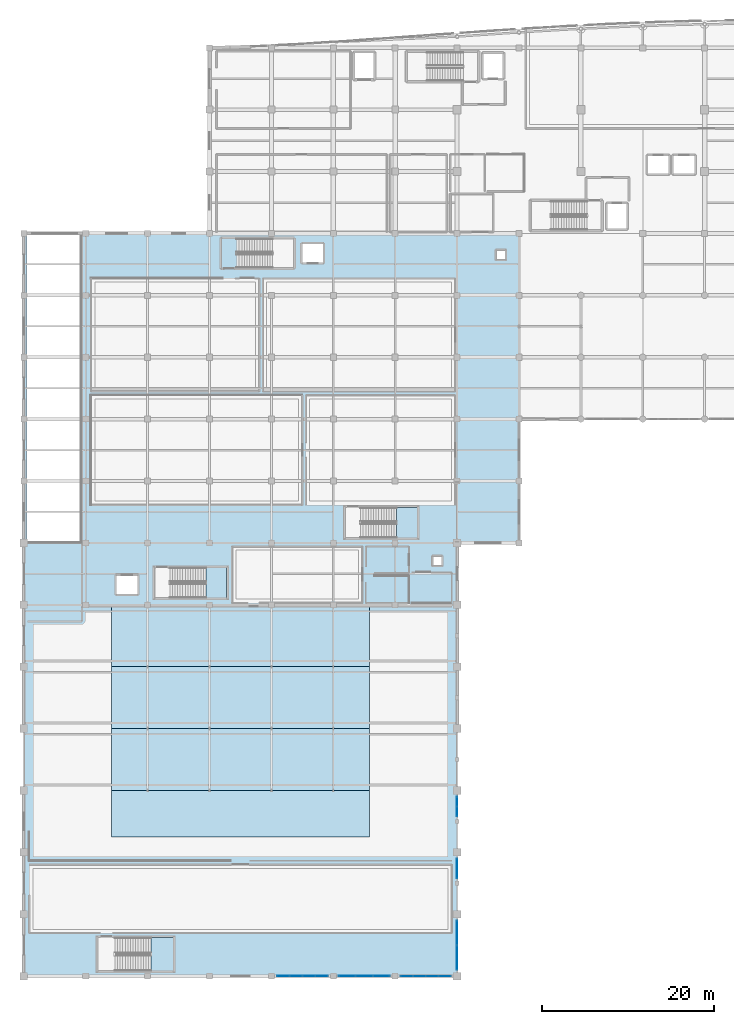
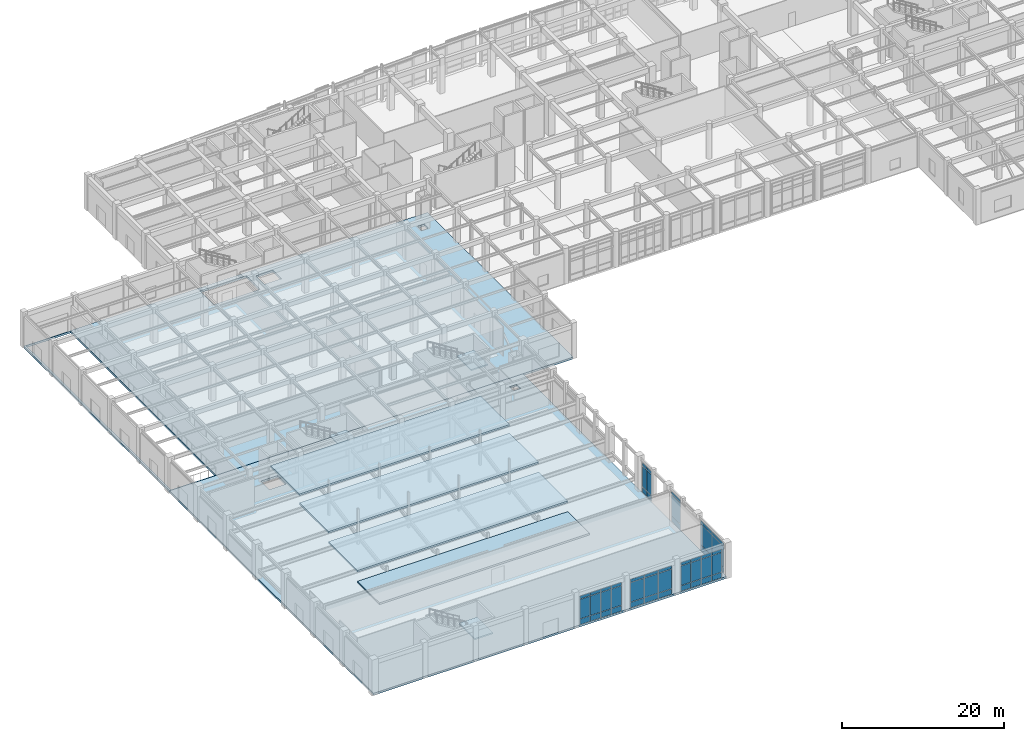
# One storey, part 62 of 102: 48 plates, 9 slabs, 9 elements without a shape of their own.
"""IFC4 building model written with IfcOpenShell, lengths in metres."""

from ifc_helpers import new_model, si_unit, direction, frame, origin, origin_2d, place, context, subcontext, project, spatial, polyline, rectangle, outline, extrude, material, layer, layer_set, type_object, element, aggregate, save


model = new_model("IFC4")

# Units and contexts
model_context = context("Model", 3, precision=1e-05, world=origin(), true_north=direction((0.0, 1.0)))
body_context = subcontext(model_context, "Body", "Model", "MODEL_VIEW")
ifc_project = project(units=[si_unit("LENGTHUNIT", "METRE"), si_unit("AREAUNIT", "SQUARE_METRE"), si_unit("VOLUMEUNIT", "CUBIC_METRE"), si_unit("PLANEANGLEUNIT", "RADIAN"), si_unit("MASSUNIT", "GRAM", prefix="KILO")], contexts=[model_context])

# Site, building, storey
site_placement = place(None, origin())
site = spatial("IfcSite", under=ifc_project, at=site_placement, CompositionType="ELEMENT")
building_placement = place(site_placement, origin())
building = spatial("IfcBuilding", under=site, at=building_placement, Name="Carrowvane Square Congress Hotel", CompositionType="ELEMENT")
storey_placement = place(building_placement, origin())
storey = spatial("IfcBuildingStorey", under=building, at=storey_placement, Name="L00", CompositionType="ELEMENT", Elevation=0.0)

# Curtain wall, plates
ifc_material_1 = material(Name="Anodised aluminium", Category="aluminium")
ifc_layer_1 = layer(ifc_material_1, 0.2099609375)
ifc_layer_set_1 = layer_set([ifc_layer_1], Name="Anodised aluminium")
curtain_wall_type_1 = type_object("IfcCurtainWallType", Name="CW-SYS-5", PredefinedType="NOTDEFINED", material=ifc_layer_set_1)
curtain_wall_1_placement = place(storey_placement, origin())
curtain_wall_1 = element("IfcCurtainWall", 1, at=curtain_wall_1_placement, inside=storey, type_object=curtain_wall_type_1, Name="L00 unitised curtain wall 60", PredefinedType="NOTDEFINED")
ifc_material_2 = material(Name="Double-glazed low-E glass", Category="glass")
ifc_layer_2 = layer(ifc_material_2, 0.028076171875)
ifc_layer_set_2 = layer_set([ifc_layer_2], Name="Double-glazed low-E glass")
plate_type_1 = type_object("IfcPlateType", Name="CW-PAN-1", PredefinedType="CURTAIN_PANEL", material=ifc_layer_set_2)
plate_1_placement = place(storey_placement, frame((60.554931640625, 5.39990234375, 0.06005859375), z_axis=(0.0, 0.0, 1.0), x_axis=(-1.0, 0.0, 0.0)))
plate_1 = element("IfcPlate", 2, at=plate_1_placement, type_object=plate_type_1, Name="CW-5 panel 1.1", PredefinedType="CURTAIN_PANEL", context=body_context, shape_type="SweptSolid", body=[
    extrude(rectangle(XDim=1.389892578125, YDim=0.028076171875, at=origin_2d()), origin(), (0.0, 0.0, 1.0), 0.81005859375),
])
plate_2_placement = place(storey_placement, frame((60.554931640625, 5.39990234375, 0.93017578125), z_axis=(0.0, 0.0, 1.0), x_axis=(-1.0, 0.0, 0.0)))
plate_2 = element("IfcPlate", 3, at=plate_2_placement, type_object=plate_type_1, Name="CW-5 panel 1.2", PredefinedType="CURTAIN_PANEL", context=body_context, shape_type="SweptSolid", body=[
    extrude(rectangle(XDim=1.389892578125, YDim=0.028076171875, at=origin_2d()), origin(), (0.0, 0.0, 1.0), 2.925048828125),
])
plate_3_placement = place(storey_placement, frame((60.554931640625, 5.39990234375, 3.9150390625), z_axis=(0.0, 0.0, 1.0), x_axis=(-1.0, 0.0, 0.0)))
plate_3 = element("IfcPlate", 4, at=plate_3_placement, type_object=plate_type_1, Name="CW-5 panel 1.3", PredefinedType="CURTAIN_PANEL", context=body_context, shape_type="SweptSolid", body=[
    extrude(rectangle(XDim=1.389892578125, YDim=0.028076171875, at=origin_2d()), origin(), (0.0, 0.0, 1.0), 0.4599609375),
])
plate_4_placement = place(storey_placement, frame((59.090087890625, 5.39990234375, 0.06005859375), z_axis=(0.0, 0.0, 1.0), x_axis=(-1.0, 0.0, 0.0)))
plate_4 = element("IfcPlate", 5, at=plate_4_placement, type_object=plate_type_1, Name="CW-5 panel 2.1", PredefinedType="CURTAIN_PANEL", context=body_context, shape_type="SweptSolid", body=[
    extrude(rectangle(XDim=1.419921875, YDim=0.028076171875, at=origin_2d()), origin(), (0.0, 0.0, 1.0), 0.81005859375),
])
plate_5_placement = place(storey_placement, frame((59.090087890625, 5.39990234375, 0.93017578125), z_axis=(0.0, 0.0, 1.0), x_axis=(-1.0, 0.0, 0.0)))
plate_5 = element("IfcPlate", 6, at=plate_5_placement, type_object=plate_type_1, Name="CW-5 panel 2.2", PredefinedType="CURTAIN_PANEL", context=body_context, shape_type="SweptSolid", body=[
    extrude(rectangle(XDim=1.419921875, YDim=0.028076171875, at=origin_2d()), origin(), (0.0, 0.0, 1.0), 2.925048828125),
])
plate_6_placement = place(storey_placement, frame((59.090087890625, 5.39990234375, 3.9150390625), z_axis=(0.0, 0.0, 1.0), x_axis=(-1.0, 0.0, 0.0)))
plate_6 = element("IfcPlate", 7, at=plate_6_placement, type_object=plate_type_1, Name="CW-5 panel 2.3", PredefinedType="CURTAIN_PANEL", context=body_context, shape_type="SweptSolid", body=[
    extrude(rectangle(XDim=1.419921875, YDim=0.028076171875, at=origin_2d()), origin(), (0.0, 0.0, 1.0), 0.4599609375),
])
plate_7_placement = place(storey_placement, frame((57.610107421875, 5.39990234375, 0.06005859375), z_axis=(0.0, 0.0, 1.0), x_axis=(-1.0, 0.0, 0.0)))
plate_7 = element("IfcPlate", 8, at=plate_7_placement, type_object=plate_type_1, Name="CW-5 panel 3.1", PredefinedType="CURTAIN_PANEL", context=body_context, shape_type="SweptSolid", body=[
    extrude(rectangle(XDim=1.419921875, YDim=0.028076171875, at=origin_2d()), origin(), (0.0, 0.0, 1.0), 0.81005859375),
])
plate_8_placement = place(storey_placement, frame((57.610107421875, 5.39990234375, 0.93017578125), z_axis=(0.0, 0.0, 1.0), x_axis=(-1.0, 0.0, 0.0)))
plate_8 = element("IfcPlate", 9, at=plate_8_placement, type_object=plate_type_1, Name="CW-5 panel 3.2", PredefinedType="CURTAIN_PANEL", context=body_context, shape_type="SweptSolid", body=[
    extrude(rectangle(XDim=1.419921875, YDim=0.028076171875, at=origin_2d()), origin(), (0.0, 0.0, 1.0), 2.925048828125),
])
plate_9_placement = place(storey_placement, frame((57.610107421875, 5.39990234375, 3.9150390625), z_axis=(0.0, 0.0, 1.0), x_axis=(-1.0, 0.0, 0.0)))
plate_9 = element("IfcPlate", 10, at=plate_9_placement, type_object=plate_type_1, Name="CW-5 panel 3.3", PredefinedType="CURTAIN_PANEL", context=body_context, shape_type="SweptSolid", body=[
    extrude(rectangle(XDim=1.419921875, YDim=0.028076171875, at=origin_2d()), origin(), (0.0, 0.0, 1.0), 0.4599609375),
])
plate_10_placement = place(storey_placement, frame((56.14501953125, 5.39990234375, 0.06005859375), z_axis=(0.0, 0.0, 1.0), x_axis=(-1.0, 0.0, 0.0)))
plate_10 = element("IfcPlate", 11, at=plate_10_placement, type_object=plate_type_1, Name="CW-5 panel 4.1", PredefinedType="CURTAIN_PANEL", context=body_context, shape_type="SweptSolid", body=[
    extrude(rectangle(XDim=1.389892578125, YDim=0.028076171875, at=origin_2d()), origin(), (0.0, 0.0, 1.0), 0.81005859375),
])
plate_11_placement = place(storey_placement, frame((56.14501953125, 5.39990234375, 0.93017578125), z_axis=(0.0, 0.0, 1.0), x_axis=(-1.0, 0.0, 0.0)))
plate_11 = element("IfcPlate", 12, at=plate_11_placement, type_object=plate_type_1, Name="CW-5 panel 4.2", PredefinedType="CURTAIN_PANEL", context=body_context, shape_type="SweptSolid", body=[
    extrude(rectangle(XDim=1.389892578125, YDim=0.028076171875, at=origin_2d()), origin(), (0.0, 0.0, 1.0), 2.925048828125),
])
plate_12_placement = place(storey_placement, frame((56.14501953125, 5.39990234375, 3.9150390625), z_axis=(0.0, 0.0, 1.0), x_axis=(-1.0, 0.0, 0.0)))
plate_12 = element("IfcPlate", 13, at=plate_12_placement, type_object=plate_type_1, Name="CW-5 panel 4.3", PredefinedType="CURTAIN_PANEL", context=body_context, shape_type="SweptSolid", body=[
    extrude(rectangle(XDim=1.389892578125, YDim=0.028076171875, at=origin_2d()), origin(), (0.0, 0.0, 1.0), 0.4599609375),
])
aggregate(curtain_wall_1, [plate_1, plate_2, plate_3, plate_4, plate_5, plate_6, plate_7, plate_8, plate_9, plate_10, plate_11, plate_12])

ifc_material_3 = material(Name="Anodised aluminium", Category="aluminium")
ifc_layer_3 = layer(ifc_material_3, 0.221923828125)
ifc_layer_set_3 = layer_set([ifc_layer_3], Name="Anodised aluminium")
curtain_wall_type_2 = type_object("IfcCurtainWallType", Name="CW-SYS-6", PredefinedType="NOTDEFINED", material=ifc_layer_set_3)
curtain_wall_2_placement = place(storey_placement, origin())
curtain_wall_2 = element("IfcCurtainWall", 14, at=curtain_wall_2_placement, inside=storey, type_object=curtain_wall_type_2, Name="L00 unitised curtain wall 61", PredefinedType="NOTDEFINED")
ifc_material_4 = material(Name="Double-glazed low-E glass", Category="glass")
ifc_layer_4 = layer(ifc_material_4, 0.031982421875)
ifc_layer_set_4 = layer_set([ifc_layer_4], Name="Double-glazed low-E glass")
plate_type_2 = type_object("IfcPlateType", Name="CW-PAN-2", PredefinedType="CURTAIN_PANEL", material=ifc_layer_set_4)
plate_13_placement = place(storey_placement, frame((53.189208984375, 5.39990234375, 0.070068359375), z_axis=(0.0, 0.0, 1.0), x_axis=(-1.0, 0.0, 0.0)))
plate_13 = element("IfcPlate", 15, at=plate_13_placement, type_object=plate_type_2, Name="CW-6 panel 1.1", PredefinedType="CURTAIN_PANEL", context=body_context, shape_type="SweptSolid", body=[
    extrude(rectangle(XDim=1.901611328125, YDim=0.031982421875, at=origin_2d()), origin(), (0.0, 0.0, 1.0), 0.794921875),
])
plate_14_placement = place(storey_placement, frame((53.189208984375, 5.39990234375, 0.93505859375), z_axis=(0.0, 0.0, 1.0), x_axis=(-1.0, 0.0, 0.0)))
plate_14 = element("IfcPlate", 16, at=plate_14_placement, type_object=plate_type_2, Name="CW-6 panel 1.2", PredefinedType="CURTAIN_PANEL", context=body_context, shape_type="SweptSolid", body=[
    extrude(rectangle(XDim=1.901611328125, YDim=0.031982421875, at=origin_2d()), origin(), (0.0, 0.0, 1.0), 2.9150390625),
])
plate_15_placement = place(storey_placement, frame((53.189208984375, 5.39990234375, 3.919921875), z_axis=(0.0, 0.0, 1.0), x_axis=(-1.0, 0.0, 0.0)))
plate_15 = element("IfcPlate", 17, at=plate_15_placement, type_object=plate_type_2, Name="CW-6 panel 1.3", PredefinedType="CURTAIN_PANEL", context=body_context, shape_type="SweptSolid", body=[
    extrude(rectangle(XDim=1.901611328125, YDim=0.031982421875, at=origin_2d()), origin(), (0.0, 0.0, 1.0), 0.445068359375),
])
plate_16_placement = place(storey_placement, frame((51.199951171875, 5.39990234375, 0.070068359375), z_axis=(0.0, 0.0, 1.0), x_axis=(-1.0, 0.0, 0.0)))
plate_16 = element("IfcPlate", 18, at=plate_16_placement, type_object=plate_type_2, Name="CW-6 panel 2.1", PredefinedType="CURTAIN_PANEL", context=body_context, shape_type="SweptSolid", body=[
    extrude(rectangle(XDim=1.936767578125, YDim=0.031982421875, at=origin_2d()), origin(), (0.0, 0.0, 1.0), 0.794921875),
])
plate_17_placement = place(storey_placement, frame((51.199951171875, 5.39990234375, 0.93505859375), z_axis=(0.0, 0.0, 1.0), x_axis=(-1.0, 0.0, 0.0)))
plate_17 = element("IfcPlate", 19, at=plate_17_placement, type_object=plate_type_2, Name="CW-6 panel 2.2", PredefinedType="CURTAIN_PANEL", context=body_context, shape_type="SweptSolid", body=[
    extrude(rectangle(XDim=1.936767578125, YDim=0.031982421875, at=origin_2d()), origin(), (0.0, 0.0, 1.0), 2.9150390625),
])
plate_18_placement = place(storey_placement, frame((51.199951171875, 5.39990234375, 3.919921875), z_axis=(0.0, 0.0, 1.0), x_axis=(-1.0, 0.0, 0.0)))
plate_18 = element("IfcPlate", 20, at=plate_18_placement, type_object=plate_type_2, Name="CW-6 panel 2.3", PredefinedType="CURTAIN_PANEL", context=body_context, shape_type="SweptSolid", body=[
    extrude(rectangle(XDim=1.936767578125, YDim=0.031982421875, at=origin_2d()), origin(), (0.0, 0.0, 1.0), 0.445068359375),
])
plate_19_placement = place(storey_placement, frame((49.2109375, 5.39990234375, 0.070068359375), z_axis=(0.0, 0.0, 1.0), x_axis=(-1.0, 0.0, 0.0)))
plate_19 = element("IfcPlate", 21, at=plate_19_placement, type_object=plate_type_2, Name="CW-6 panel 3.1", PredefinedType="CURTAIN_PANEL", context=body_context, shape_type="SweptSolid", body=[
    extrude(rectangle(XDim=1.901611328125, YDim=0.031982421875, at=origin_2d()), origin(), (0.0, 0.0, 1.0), 0.794921875),
])
plate_20_placement = place(storey_placement, frame((49.2109375, 5.39990234375, 0.93505859375), z_axis=(0.0, 0.0, 1.0), x_axis=(-1.0, 0.0, 0.0)))
plate_20 = element("IfcPlate", 22, at=plate_20_placement, type_object=plate_type_2, Name="CW-6 panel 3.2", PredefinedType="CURTAIN_PANEL", context=body_context, shape_type="SweptSolid", body=[
    extrude(rectangle(XDim=1.901611328125, YDim=0.031982421875, at=origin_2d()), origin(), (0.0, 0.0, 1.0), 2.9150390625),
])
plate_21_placement = place(storey_placement, frame((49.2109375, 5.39990234375, 3.919921875), z_axis=(0.0, 0.0, 1.0), x_axis=(-1.0, 0.0, 0.0)))
plate_21 = element("IfcPlate", 23, at=plate_21_placement, type_object=plate_type_2, Name="CW-6 panel 3.3", PredefinedType="CURTAIN_PANEL", context=body_context, shape_type="SweptSolid", body=[
    extrude(rectangle(XDim=1.901611328125, YDim=0.031982421875, at=origin_2d()), origin(), (0.0, 0.0, 1.0), 0.445068359375),
])
aggregate(curtain_wall_2, [plate_13, plate_14, plate_15, plate_16, plate_17, plate_18, plate_19, plate_20, plate_21])

ifc_material_5 = material(Name="Anodised aluminium", Category="aluminium")
ifc_layer_5 = layer(ifc_material_5, 0.174072265625)
ifc_layer_set_5 = layer_set([ifc_layer_5], Name="Anodised aluminium")
curtain_wall_type_3 = type_object("IfcCurtainWallType", Name="CW-SYS-2", PredefinedType="NOTDEFINED", material=ifc_layer_set_5)
curtain_wall_3_placement = place(storey_placement, origin())
curtain_wall_3 = element("IfcCurtainWall", 24, at=curtain_wall_3_placement, inside=storey, type_object=curtain_wall_type_3, Name="L00 unitised curtain wall 57", PredefinedType="NOTDEFINED")
ifc_material_6 = material(Name="Double-glazed low-E glass", Category="glass")
ifc_layer_6 = layer(ifc_material_6, 0.035888671875)
ifc_layer_set_6 = layer_set([ifc_layer_6], Name="Double-glazed low-E glass")
plate_type_3 = type_object("IfcPlateType", Name="CW-PAN-3", PredefinedType="CURTAIN_PANEL", material=ifc_layer_set_6)
plate_22_placement = place(storey_placement, frame((62.0, 25.699951171875, 0.070068359375), z_axis=(0.0, 0.0, 1.0), x_axis=(0.0, -1.0, 0.0)))
plate_22 = element("IfcPlate", 25, at=plate_22_placement, type_object=plate_type_3, Name="CW-2 panel 1.1", PredefinedType="CURTAIN_PANEL", context=body_context, shape_type="SweptSolid", body=[
    extrude(rectangle(XDim=1.080078125, YDim=0.035888671875, at=origin_2d()), origin(), (0.0, 0.0, 1.0), 0.794921875),
])
plate_23_placement = place(storey_placement, frame((62.0, 25.699951171875, 0.93505859375), z_axis=(0.0, 0.0, 1.0), x_axis=(0.0, -1.0, 0.0)))
plate_23 = element("IfcPlate", 26, at=plate_23_placement, type_object=plate_type_3, Name="CW-2 panel 1.2", PredefinedType="CURTAIN_PANEL", context=body_context, shape_type="SweptSolid", body=[
    extrude(rectangle(XDim=1.080078125, YDim=0.035888671875, at=origin_2d()), origin(), (0.0, 0.0, 1.0), 3.10498046875),
])
plate_24_placement = place(storey_placement, frame((62.0, 25.699951171875, 4.10986328125), z_axis=(0.0, 0.0, 1.0), x_axis=(0.0, -1.0, 0.0)))
plate_24 = element("IfcPlate", 27, at=plate_24_placement, type_object=plate_type_3, Name="CW-2 panel 1.3", PredefinedType="CURTAIN_PANEL", context=body_context, shape_type="SweptSolid", body=[
    extrude(rectangle(XDim=1.080078125, YDim=0.035888671875, at=origin_2d()), origin(), (0.0, 0.0, 1.0), 0.445068359375),
])
plate_25_placement = place(storey_placement, frame((62.0, 24.550048828125, 0.070068359375), z_axis=(0.0, 0.0, 1.0), x_axis=(0.0, -1.0, 0.0)))
plate_25 = element("IfcPlate", 28, at=plate_25_placement, type_object=plate_type_3, Name="CW-2 panel 2.1", PredefinedType="CURTAIN_PANEL", context=body_context, shape_type="SweptSolid", body=[
    extrude(rectangle(XDim=1.080078125, YDim=0.035888671875, at=origin_2d()), origin(), (0.0, 0.0, 1.0), 0.794921875),
])
plate_26_placement = place(storey_placement, frame((62.0, 24.550048828125, 0.93505859375), z_axis=(0.0, 0.0, 1.0), x_axis=(0.0, -1.0, 0.0)))
plate_26 = element("IfcPlate", 29, at=plate_26_placement, type_object=plate_type_3, Name="CW-2 panel 2.2", PredefinedType="CURTAIN_PANEL", context=body_context, shape_type="SweptSolid", body=[
    extrude(rectangle(XDim=1.080078125, YDim=0.035888671875, at=origin_2d()), origin(), (0.0, 0.0, 1.0), 3.10498046875),
])
plate_27_placement = place(storey_placement, frame((62.0, 24.550048828125, 4.10986328125), z_axis=(0.0, 0.0, 1.0), x_axis=(0.0, -1.0, 0.0)))
plate_27 = element("IfcPlate", 30, at=plate_27_placement, type_object=plate_type_3, Name="CW-2 panel 2.3", PredefinedType="CURTAIN_PANEL", context=body_context, shape_type="SweptSolid", body=[
    extrude(rectangle(XDim=1.080078125, YDim=0.035888671875, at=origin_2d()), origin(), (0.0, 0.0, 1.0), 0.445068359375),
])
aggregate(curtain_wall_3, [plate_22, plate_23, plate_24, plate_25, plate_26, plate_27])

ifc_material_7 = material(Name="Anodised aluminium", Category="aluminium")
ifc_layer_7 = layer(ifc_material_7, 0.23388671875)
ifc_layer_set_7 = layer_set([ifc_layer_7], Name="Anodised aluminium")
curtain_wall_type_4 = type_object("IfcCurtainWallType", Name="CW-SYS-7", PredefinedType="NOTDEFINED", material=ifc_layer_set_7)
curtain_wall_4_placement = place(storey_placement, origin())
curtain_wall_4 = element("IfcCurtainWall", 31, at=curtain_wall_4_placement, inside=storey, type_object=curtain_wall_type_4, Name="L00 unitised curtain wall 62", PredefinedType="NOTDEFINED")
plate_28_placement = place(storey_placement, frame((46.242431640625, 5.39990234375, 0.06005859375), z_axis=(0.0, 0.0, 1.0), x_axis=(-1.0, 0.0, 0.0)))
plate_28 = element("IfcPlate", 32, at=plate_28_placement, type_object=plate_type_3, Name="CW-7 panel 1.1", PredefinedType="CURTAIN_PANEL", context=body_context, shape_type="SweptSolid", body=[
    extrude(rectangle(XDim=1.4150390625, YDim=0.035888671875, at=origin_2d()), origin(), (0.0, 0.0, 1.0), 0.81005859375),
])
plate_29_placement = place(storey_placement, frame((46.242431640625, 5.39990234375, 0.93017578125), z_axis=(0.0, 0.0, 1.0), x_axis=(-1.0, 0.0, 0.0)))
plate_29 = element("IfcPlate", 33, at=plate_29_placement, type_object=plate_type_3, Name="CW-7 panel 1.2", PredefinedType="CURTAIN_PANEL", context=body_context, shape_type="SweptSolid", body=[
    extrude(rectangle(XDim=1.4150390625, YDim=0.035888671875, at=origin_2d()), origin(), (0.0, 0.0, 1.0), 2.925048828125),
])
plate_30_placement = place(storey_placement, frame((46.242431640625, 5.39990234375, 3.9150390625), z_axis=(0.0, 0.0, 1.0), x_axis=(-1.0, 0.0, 0.0)))
plate_30 = element("IfcPlate", 34, at=plate_30_placement, type_object=plate_type_3, Name="CW-7 panel 1.3", PredefinedType="CURTAIN_PANEL", context=body_context, shape_type="SweptSolid", body=[
    extrude(rectangle(XDim=1.4150390625, YDim=0.035888671875, at=origin_2d()), origin(), (0.0, 0.0, 1.0), 0.4599609375),
])
plate_31_placement = place(storey_placement, frame((44.75244140625, 5.39990234375, 0.06005859375), z_axis=(0.0, 0.0, 1.0), x_axis=(-1.0, 0.0, 0.0)))
plate_31 = element("IfcPlate", 35, at=plate_31_placement, type_object=plate_type_3, Name="CW-7 panel 2.1", PredefinedType="CURTAIN_PANEL", context=body_context, shape_type="SweptSolid", body=[
    extrude(rectangle(XDim=1.445068359375, YDim=0.035888671875, at=origin_2d()), origin(), (0.0, 0.0, 1.0), 0.81005859375),
])
plate_32_placement = place(storey_placement, frame((44.75244140625, 5.39990234375, 0.93017578125), z_axis=(0.0, 0.0, 1.0), x_axis=(-1.0, 0.0, 0.0)))
plate_32 = element("IfcPlate", 36, at=plate_32_placement, type_object=plate_type_3, Name="CW-7 panel 2.2", PredefinedType="CURTAIN_PANEL", context=body_context, shape_type="SweptSolid", body=[
    extrude(rectangle(XDim=1.445068359375, YDim=0.035888671875, at=origin_2d()), origin(), (0.0, 0.0, 1.0), 2.925048828125),
])
plate_33_placement = place(storey_placement, frame((44.75244140625, 5.39990234375, 3.9150390625), z_axis=(0.0, 0.0, 1.0), x_axis=(-1.0, 0.0, 0.0)))
plate_33 = element("IfcPlate", 37, at=plate_33_placement, type_object=plate_type_3, Name="CW-7 panel 2.3", PredefinedType="CURTAIN_PANEL", context=body_context, shape_type="SweptSolid", body=[
    extrude(rectangle(XDim=1.445068359375, YDim=0.035888671875, at=origin_2d()), origin(), (0.0, 0.0, 1.0), 0.4599609375),
])
plate_34_placement = place(storey_placement, frame((43.24755859375, 5.39990234375, 0.06005859375), z_axis=(0.0, 0.0, 1.0), x_axis=(-1.0, 0.0, 0.0)))
plate_34 = element("IfcPlate", 38, at=plate_34_placement, type_object=plate_type_3, Name="CW-7 panel 3.1", PredefinedType="CURTAIN_PANEL", context=body_context, shape_type="SweptSolid", body=[
    extrude(rectangle(XDim=1.445068359375, YDim=0.035888671875, at=origin_2d()), origin(), (0.0, 0.0, 1.0), 0.81005859375),
])
plate_35_placement = place(storey_placement, frame((43.24755859375, 5.39990234375, 0.93017578125), z_axis=(0.0, 0.0, 1.0), x_axis=(-1.0, 0.0, 0.0)))
plate_35 = element("IfcPlate", 39, at=plate_35_placement, type_object=plate_type_3, Name="CW-7 panel 3.2", PredefinedType="CURTAIN_PANEL", context=body_context, shape_type="SweptSolid", body=[
    extrude(rectangle(XDim=1.445068359375, YDim=0.035888671875, at=origin_2d()), origin(), (0.0, 0.0, 1.0), 2.925048828125),
])
plate_36_placement = place(storey_placement, frame((43.24755859375, 5.39990234375, 3.9150390625), z_axis=(0.0, 0.0, 1.0), x_axis=(-1.0, 0.0, 0.0)))
plate_36 = element("IfcPlate", 40, at=plate_36_placement, type_object=plate_type_3, Name="CW-7 panel 3.3", PredefinedType="CURTAIN_PANEL", context=body_context, shape_type="SweptSolid", body=[
    extrude(rectangle(XDim=1.445068359375, YDim=0.035888671875, at=origin_2d()), origin(), (0.0, 0.0, 1.0), 0.4599609375),
])
plate_37_placement = place(storey_placement, frame((41.757568359375, 5.39990234375, 0.06005859375), z_axis=(0.0, 0.0, 1.0), x_axis=(-1.0, 0.0, 0.0)))
plate_37 = element("IfcPlate", 41, at=plate_37_placement, type_object=plate_type_3, Name="CW-7 panel 4.1", PredefinedType="CURTAIN_PANEL", context=body_context, shape_type="SweptSolid", body=[
    extrude(rectangle(XDim=1.4150390625, YDim=0.035888671875, at=origin_2d()), origin(), (0.0, 0.0, 1.0), 0.81005859375),
])
plate_38_placement = place(storey_placement, frame((41.757568359375, 5.39990234375, 0.93017578125), z_axis=(0.0, 0.0, 1.0), x_axis=(-1.0, 0.0, 0.0)))
plate_38 = element("IfcPlate", 42, at=plate_38_placement, type_object=plate_type_3, Name="CW-7 panel 4.2", PredefinedType="CURTAIN_PANEL", context=body_context, shape_type="SweptSolid", body=[
    extrude(rectangle(XDim=1.4150390625, YDim=0.035888671875, at=origin_2d()), origin(), (0.0, 0.0, 1.0), 2.925048828125),
])
plate_39_placement = place(storey_placement, frame((41.757568359375, 5.39990234375, 3.9150390625), z_axis=(0.0, 0.0, 1.0), x_axis=(-1.0, 0.0, 0.0)))
plate_39 = element("IfcPlate", 43, at=plate_39_placement, type_object=plate_type_3, Name="CW-7 panel 4.3", PredefinedType="CURTAIN_PANEL", context=body_context, shape_type="SweptSolid", body=[
    extrude(rectangle(XDim=1.4150390625, YDim=0.035888671875, at=origin_2d()), origin(), (0.0, 0.0, 1.0), 0.4599609375),
])
aggregate(curtain_wall_4, [plate_28, plate_29, plate_30, plate_31, plate_32, plate_33, plate_34, plate_35, plate_36, plate_37, plate_38, plate_39])

ifc_material_8 = material(Name="Anodised aluminium", Category="aluminium")
ifc_layer_8 = layer(ifc_material_8, 0.18603515625)
ifc_layer_set_8 = layer_set([ifc_layer_8], Name="Anodised aluminium")
curtain_wall_type_5 = type_object("IfcCurtainWallType", Name="CW-SYS-3", PredefinedType="NOTDEFINED", material=ifc_layer_set_8)
curtain_wall_5_placement = place(storey_placement, origin())
curtain_wall_5 = element("IfcCurtainWall", 44, at=curtain_wall_5_placement, inside=storey, type_object=curtain_wall_type_5, Name="L00 unitised curtain wall 58", PredefinedType="NOTDEFINED")
ifc_material_9 = material(Name="Double-glazed low-E glass", Category="glass")
ifc_layer_9 = layer(ifc_material_9, 0.0419921875)
ifc_layer_set_9 = layer_set([ifc_layer_9], Name="Double-glazed low-E glass")
plate_type_4 = type_object("IfcPlateType", Name="CW-PAN-4", PredefinedType="CURTAIN_PANEL", material=ifc_layer_set_9)
plate_40_placement = place(storey_placement, frame((62.0, 17.925048828125, 0.06005859375), z_axis=(0.0, 0.0, 1.0), x_axis=(0.0, -1.0, 0.0)))
plate_40 = element("IfcPlate", 45, at=plate_40_placement, type_object=plate_type_4, Name="CW-3 panel 1.1", PredefinedType="CURTAIN_PANEL", context=body_context, shape_type="SweptSolid", body=[
    extrude(rectangle(XDim=2.25, YDim=0.0419921875, at=origin_2d()), origin(), (0.0, 0.0, 1.0), 0.81005859375),
])
plate_41_placement = place(storey_placement, frame((62.0, 17.925048828125, 0.93017578125), z_axis=(0.0, 0.0, 1.0), x_axis=(0.0, -1.0, 0.0)))
plate_41 = element("IfcPlate", 46, at=plate_41_placement, type_object=plate_type_4, Name="CW-3 panel 1.2", PredefinedType="CURTAIN_PANEL", context=body_context, shape_type="SweptSolid", body=[
    extrude(rectangle(XDim=2.25, YDim=0.0419921875, at=origin_2d()), origin(), (0.0, 0.0, 1.0), 3.114990234375),
])
plate_42_placement = place(storey_placement, frame((62.0, 17.925048828125, 4.10498046875), z_axis=(0.0, 0.0, 1.0), x_axis=(0.0, -1.0, 0.0)))
plate_42 = element("IfcPlate", 47, at=plate_42_placement, type_object=plate_type_4, Name="CW-3 panel 1.3", PredefinedType="CURTAIN_PANEL", context=body_context, shape_type="SweptSolid", body=[
    extrude(rectangle(XDim=2.25, YDim=0.0419921875, at=origin_2d()), origin(), (0.0, 0.0, 1.0), 0.4599609375),
])
aggregate(curtain_wall_5, [plate_40, plate_41, plate_42])

ifc_material_10 = material(Name="Anodised aluminium", Category="aluminium")
ifc_layer_10 = layer(ifc_material_10, 0.197998046875)
ifc_layer_set_10 = layer_set([ifc_layer_10], Name="Anodised aluminium")
curtain_wall_type_6 = type_object("IfcCurtainWallType", Name="CW-SYS-4", PredefinedType="NOTDEFINED", material=ifc_layer_set_10)
curtain_wall_6_placement = place(storey_placement, origin())
curtain_wall_6 = element("IfcCurtainWall", 48, at=curtain_wall_6_placement, inside=storey, type_object=curtain_wall_type_6, Name="L00 unitised curtain wall 59", PredefinedType="NOTDEFINED")
ifc_material_11 = material(Name="Double-glazed low-E glass", Category="glass")
ifc_layer_11 = layer(ifc_material_11, 0.048095703125)
ifc_layer_set_11 = layer_set([ifc_layer_11], Name="Double-glazed low-E glass")
plate_type_5 = type_object("IfcPlateType", Name="CW-PAN-5", PredefinedType="CURTAIN_PANEL", material=ifc_layer_set_11)
plate_43_placement = place(storey_placement, frame((62.0, 10.4375, 0.070068359375), z_axis=(0.0, 0.0, 1.0), x_axis=(0.0, -1.0, 0.0)))
plate_43 = element("IfcPlate", 49, at=plate_43_placement, type_object=plate_type_5, Name="CW-4 panel 1.1", PredefinedType="CURTAIN_PANEL", context=body_context, shape_type="SweptSolid", body=[
    extrude(rectangle(XDim=2.804931640625, YDim=0.048095703125, at=origin_2d()), origin(), (0.0, 0.0, 1.0), 0.794921875),
])
plate_44_placement = place(storey_placement, frame((62.0, 10.4375, 0.93505859375), z_axis=(0.0, 0.0, 1.0), x_axis=(0.0, -1.0, 0.0)))
plate_44 = element("IfcPlate", 50, at=plate_44_placement, type_object=plate_type_5, Name="CW-4 panel 1.2", PredefinedType="CURTAIN_PANEL", context=body_context, shape_type="SweptSolid", body=[
    extrude(rectangle(XDim=2.804931640625, YDim=0.048095703125, at=origin_2d()), origin(), (0.0, 0.0, 1.0), 3.10498046875),
])
plate_45_placement = place(storey_placement, frame((62.0, 10.4375, 4.10986328125), z_axis=(0.0, 0.0, 1.0), x_axis=(0.0, -1.0, 0.0)))
plate_45 = element("IfcPlate", 51, at=plate_45_placement, type_object=plate_type_5, Name="CW-4 panel 1.3", PredefinedType="CURTAIN_PANEL", context=body_context, shape_type="SweptSolid", body=[
    extrude(rectangle(XDim=2.804931640625, YDim=0.048095703125, at=origin_2d()), origin(), (0.0, 0.0, 1.0), 0.445068359375),
])
plate_46_placement = place(storey_placement, frame((62.0, 7.5625, 0.070068359375), z_axis=(0.0, 0.0, 1.0), x_axis=(0.0, -1.0, 0.0)))
plate_46 = element("IfcPlate", 52, at=plate_46_placement, type_object=plate_type_5, Name="CW-4 panel 2.1", PredefinedType="CURTAIN_PANEL", context=body_context, shape_type="SweptSolid", body=[
    extrude(rectangle(XDim=2.804931640625, YDim=0.048095703125, at=origin_2d()), origin(), (0.0, 0.0, 1.0), 0.794921875),
])
plate_47_placement = place(storey_placement, frame((62.0, 7.5625, 0.93505859375), z_axis=(0.0, 0.0, 1.0), x_axis=(0.0, -1.0, 0.0)))
plate_47 = element("IfcPlate", 53, at=plate_47_placement, type_object=plate_type_5, Name="CW-4 panel 2.2", PredefinedType="CURTAIN_PANEL", context=body_context, shape_type="SweptSolid", body=[
    extrude(rectangle(XDim=2.804931640625, YDim=0.048095703125, at=origin_2d()), origin(), (0.0, 0.0, 1.0), 3.10498046875),
])
plate_48_placement = place(storey_placement, frame((62.0, 7.5625, 4.10986328125), z_axis=(0.0, 0.0, 1.0), x_axis=(0.0, -1.0, 0.0)))
plate_48 = element("IfcPlate", 54, at=plate_48_placement, type_object=plate_type_5, Name="CW-4 panel 2.3", PredefinedType="CURTAIN_PANEL", context=body_context, shape_type="SweptSolid", body=[
    extrude(rectangle(XDim=2.804931640625, YDim=0.048095703125, at=origin_2d()), origin(), (0.0, 0.0, 1.0), 0.445068359375),
])
aggregate(curtain_wall_6, [plate_43, plate_44, plate_45, plate_46, plate_47, plate_48])

# Slabs
ifc_material_12 = material(Name="Concrete C35/45", Category="concrete")
ifc_layer_12 = layer(ifc_material_12, 0.300048828125)
ifc_layer_set_12 = layer_set([ifc_layer_12], Name="Concrete C35/45")
slab_type_1 = type_object("IfcSlabType", Name="SLB-FLR-300", PredefinedType="FLOOR", material=ifc_layer_set_12)
slab_1_placement = place(storey_placement, frame((0.0, 0.0, -0.300048828125)))
element("IfcSlab", 55, at=slab_1_placement, inside=storey, type_object=slab_type_1, Name="L00 V1 structural slab", PredefinedType="FLOOR", context=body_context, shape_type="SweptSolid", body=[
    extrude(outline(polyline([(11.60009765625, 5.39990234375), (62.0, 5.39990234375), (62.0, 55.800048828125), (11.60009765625, 55.800048828125), (11.60009765625, 5.39990234375)]), holes=[polyline([(59.199951171875, 53.199951171875), (60.199951171875, 53.199951171875), (60.199951171875, 54.199951171875), (59.199951171875, 54.199951171875), (59.199951171875, 53.199951171875)]), polyline([(22.39990234375, 49.85009765625), (24.800048828125, 49.85009765625), (24.800048828125, 51.949951171875), (22.39990234375, 51.949951171875), (22.39990234375, 49.85009765625)])]), origin(), (0.0, 0.0, 1.0), 0.300048828125),
])
slab_2_placement = place(storey_placement, frame((0.0, 0.0, -0.300048828125)))
element("IfcSlab", 56, at=slab_2_placement, inside=storey, type_object=slab_type_1, Name="L00 V4 structural slab", PredefinedType="FLOOR", context=body_context, shape_type="SweptSolid", body=[
    extrude(outline(polyline([(11.60009765625, 55.800048828125), (69.199951171875, 55.800048828125), (69.199951171875, 91.800048828125), (11.60009765625, 91.800048828125), (11.60009765625, 55.800048828125)]), holes=[polyline([(36.389892578125, 87.800048828125), (43.0, 87.800048828125), (43.0, 91.199951171875), (36.389892578125, 91.199951171875), (36.389892578125, 87.800048828125)]), polyline([(66.60009765625, 88.800048828125), (67.60009765625, 88.800048828125), (67.60009765625, 89.800048828125), (66.60009765625, 89.800048828125), (66.60009765625, 88.800048828125)]), polyline([(44.0, 88.449951171875), (46.39990234375, 88.449951171875), (46.39990234375, 90.550048828125), (44.0, 90.550048828125), (44.0, 88.449951171875)]), polyline([(11.8798828125, 55.889892578125), (18.219970703125, 55.889892578125), (18.219970703125, 91.7099609375), (11.8798828125, 91.7099609375), (11.8798828125, 55.889892578125)])]), origin(), (0.0, 0.0, 1.0), 0.300048828125),
])

# Stair, slab
ifc_material_13 = material(Name="Concrete C35/45", Category="concrete")
stair_type_1 = type_object("IfcStairType", Name="STR-DOG-09", PredefinedType="HALF_TURN_STAIR", material=ifc_material_13)
stair_1_placement = place(storey_placement, origin())
stair_1 = element("IfcStair", 57, at=stair_1_placement, inside=storey, type_object=stair_type_1, Name="L00 Plenary North-West Escape Stair", PredefinedType="HALF_TURN_STAIR")
ifc_material_14 = material(Name="Concrete C35/45", Category="concrete")
ifc_layer_13 = layer(ifc_material_14, 0.199951171875)
ifc_layer_set_13 = layer_set([ifc_layer_13], Name="Concrete C35/45")
slab_type_2 = type_object("IfcSlabType", Name="SLB-LND-200", PredefinedType="LANDING", material=ifc_layer_set_13)
slab_3_placement = place(storey_placement, frame((0.0, 0.0, 2.5)))
slab_3 = element("IfcSlab", 58, at=slab_3_placement, type_object=slab_type_2, Name="ST6 landing 1", PredefinedType="LANDING", context=body_context, shape_type="SweptSolid", body=[
    extrude(outline(polyline([(32.780029296875, 49.39990234375), (35.199951171875, 49.39990234375), (35.199951171875, 52.919921875), (32.780029296875, 52.919921875), (32.780029296875, 49.39990234375)])), origin(), (0.0, 0.0, 1.0), 0.199951171875),
])
aggregate(stair_1, [slab_3])

stair_2_placement = place(storey_placement, origin())
stair_2 = element("IfcStair", 59, at=stair_2_placement, inside=storey, type_object=stair_type_1, Name="L00 Spa Courtyard Escape Stair", PredefinedType="HALF_TURN_STAIR")
slab_4_placement = place(storey_placement, frame((0.0, 0.0, 2.5)))
slab_4 = element("IfcSlab", 60, at=slab_4_placement, type_object=slab_type_2, Name="ST7 landing 1", PredefinedType="LANDING", context=body_context, shape_type="SweptSolid", body=[
    extrude(outline(polyline([(54.97998046875, 56.39990234375), (57.39990234375, 56.39990234375), (57.39990234375, 59.919921875), (54.97998046875, 59.919921875), (54.97998046875, 56.39990234375)])), origin(), (0.0, 0.0, 1.0), 0.199951171875),
])
aggregate(stair_2, [slab_4])

ifc_material_15 = material(Name="Concrete C35/45", Category="concrete")
stair_type_2 = type_object("IfcStairType", Name="STR-DOG-12", PredefinedType="HALF_TURN_STAIR", material=ifc_material_15)
stair_3_placement = place(storey_placement, origin())
stair_3 = element("IfcStair", 61, at=stair_3_placement, inside=storey, type_object=stair_type_2, Name="L00 Plenary South Assembly Stair", PredefinedType="HALF_TURN_STAIR")
slab_5_placement = place(storey_placement, frame((0.0, 0.0, 2.5)))
slab_5 = element("IfcSlab", 62, at=slab_5_placement, type_object=slab_type_2, Name="ST9 landing 1", PredefinedType="LANDING", context=body_context, shape_type="SweptSolid", body=[
    extrude(outline(polyline([(26.39990234375, 6.0), (29.0, 6.0), (29.0, 9.89990234375), (26.39990234375, 9.89990234375), (26.39990234375, 6.0)])), origin(), (0.0, 0.0, 1.0), 0.199951171875),
])
aggregate(stair_3, [slab_5])

# Slabs
ifc_material_16 = material(Name="Precast concrete C40/50", Category="concrete")
ifc_layer_14 = layer(ifc_material_16, 0.159912109375)
ifc_layer_set_14 = layer_set([ifc_layer_14], Name="Precast concrete C40/50")
slab_type_3 = type_object("IfcSlabType", Name="SLB-TIER-160", PredefinedType="USERDEFINED", material=ifc_layer_set_14)
slab_6_placement = place(storey_placement, frame((0.0, 0.0, 1.60009765625)))
element("IfcSlab", 63, at=slab_6_placement, inside=storey, type_object=slab_type_3, Name="L00 Plenary stalls seating tier 1", ObjectType="SEATING TIER", PredefinedType="USERDEFINED", context=body_context, shape_type="SweptSolid", body=[
    extrude(outline(polyline([(21.800048828125, 27.0), (51.800048828125, 27.0), (51.800048828125, 34.199951171875), (21.800048828125, 34.199951171875), (21.800048828125, 27.0)])), origin(), (0.0, 0.0, 1.0), 0.25),
])
slab_7_placement = place(storey_placement, frame((0.0, 0.0, 3.10009765625)))
element("IfcSlab", 64, at=slab_7_placement, inside=storey, type_object=slab_type_3, Name="L00 Plenary stalls seating tier 2", ObjectType="SEATING TIER", PredefinedType="USERDEFINED", context=body_context, shape_type="SweptSolid", body=[
    extrude(outline(polyline([(21.800048828125, 34.199951171875), (51.800048828125, 34.199951171875), (51.800048828125, 41.39990234375), (21.800048828125, 41.39990234375), (21.800048828125, 34.199951171875)])), origin(), (0.0, 0.0, 1.0), 0.25),
])
slab_8_placement = place(storey_placement, frame((0.0, 0.0, 4.39990234375)))
element("IfcSlab", 65, at=slab_8_placement, inside=storey, type_object=slab_type_3, Name="L00 Plenary stalls seating tier 3", ObjectType="SEATING TIER", PredefinedType="USERDEFINED", context=body_context, shape_type="SweptSolid", body=[
    extrude(outline(polyline([(21.800048828125, 41.39990234375), (51.800048828125, 41.39990234375), (51.800048828125, 48.5), (21.800048828125, 48.5), (21.800048828125, 41.39990234375)])), origin(), (0.0, 0.0, 1.0), 0.25),
])
slab_9_placement = place(storey_placement, origin())
element("IfcSlab", 66, at=slab_9_placement, inside=storey, type_object=slab_type_3, Name="L00 Plenary stalls seating tier 4", ObjectType="SEATING TIER", PredefinedType="USERDEFINED", context=body_context, shape_type="SweptSolid", body=[
    extrude(outline(polyline([(21.800048828125, 21.60009765625), (51.800048828125, 21.60009765625), (51.800048828125, 27.0), (21.800048828125, 27.0), (21.800048828125, 21.60009765625)])), origin(), (0.0, 0.0, 1.0), 0.25),
])

save(model, "model.ifc")
